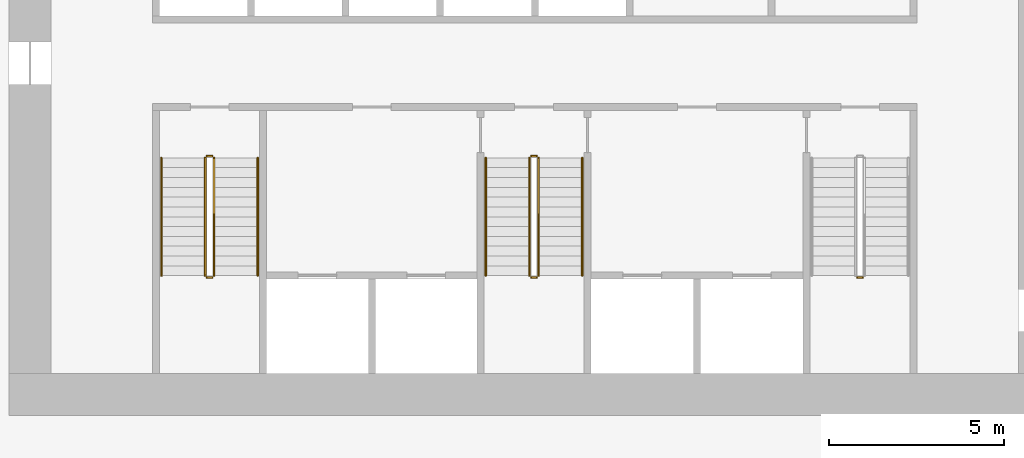
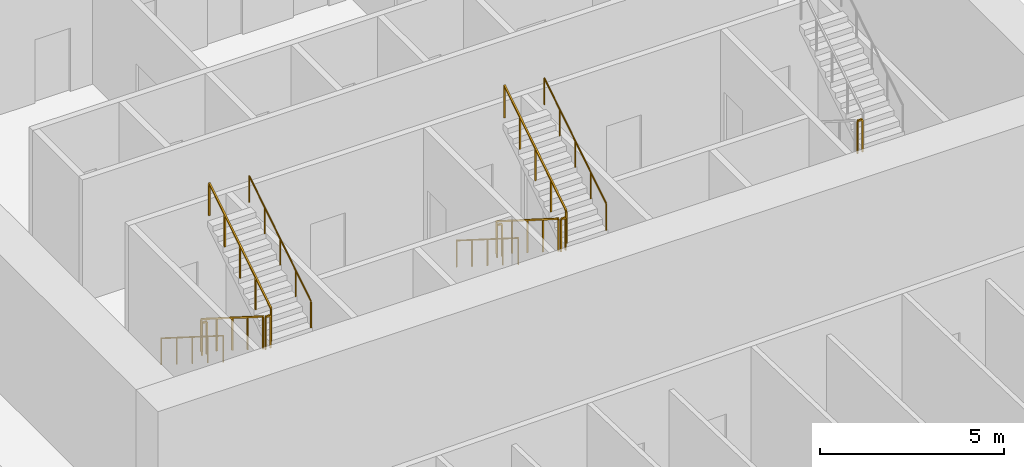
# One storey, part 19 of 21: 13 railings.
"""IFC4 building model written with IfcOpenShell, lengths in metres."""

from ifc_helpers import new_model, si_unit, direction, frame, origin, origin_2d, place, context, subcontext, project, spatial, rectangle, circle, extrude, material, type_object, element, save


model = new_model("IFC4")

# Units and contexts
model_context = context("Model", 3, precision=1e-05, world=origin(), true_north=direction((0.0, 1.0)))
body_context = subcontext(model_context, "Body", "Model", "MODEL_VIEW")
ifc_project = project(units=[si_unit("LENGTHUNIT", "METRE"), si_unit("AREAUNIT", "SQUARE_METRE"), si_unit("VOLUMEUNIT", "CUBIC_METRE"), si_unit("PLANEANGLEUNIT", "RADIAN"), si_unit("MASSUNIT", "GRAM", prefix="KILO")], contexts=[model_context])

# Site, building, storey
site_placement = place(None, origin())
site = spatial("IfcSite", under=ifc_project, at=site_placement, CompositionType="ELEMENT")
building_placement = place(site_placement, origin())
building = spatial("IfcBuilding", under=site, at=building_placement, Name="Mangrove Gate Tower", CompositionType="ELEMENT")
storey_placement = place(building_placement, frame((0.0, 0.0, 29.5)))
storey = spatial("IfcBuildingStorey", under=building, at=storey_placement, Name="L06", CompositionType="ELEMENT", Elevation=29.5)

# Railings
ifc_material_1 = material(Name="Stainless steel 316", Category="steel")
railing_type_1 = type_object("IfcRailingType", Name="Core stair guard 1100", PredefinedType="GUARDRAIL", material=ifc_material_1)
railing_1_placement = place(storey_placement, frame((-9.39990234375, -4.64990234375, 0.177001953125)))
element("IfcRailing", 1, at=railing_1_placement, inside=storey, type_object=railing_type_1, Name="L06 ST1 stair guard 1", PredefinedType="GUARDRAIL", context=body_context, shape_type="SweptSolid", body=[
    extrude(rectangle(XDim=0.048095703125, YDim=0.048095703125, at=origin_2d()), frame((0.0, 0.0, 1.076171875), z_axis=(0.0, -0.845389635667, 0.534150132366), x_axis=(1.0, 0.0, 0.0)), (0.0, 0.0, 1.0), 3.974609375),
    extrude(rectangle(XDim=0.0419921875, YDim=0.0419921875, at=origin_2d()), origin(), (0.0, 0.0, 1.0), 1.052001953125),
    extrude(rectangle(XDim=0.0419921875, YDim=0.0419921875, at=origin_2d()), frame((0.0, -0.840087890625, 0.53076171875)), (0.0, 0.0, 1.0), 1.052001953125),
    extrude(rectangle(XDim=0.0419921875, YDim=0.0419921875, at=origin_2d()), frame((0.0, -1.68017578125, 1.0615234375)), (0.0, 0.0, 1.0), 1.052001953125),
    extrude(rectangle(XDim=0.0419921875, YDim=0.0419921875, at=origin_2d()), frame((0.0, -2.52001953125, 1.59228515625)), (0.0, 0.0, 1.0), 1.052001953125),
    extrude(rectangle(XDim=0.0419921875, YDim=0.0419921875, at=origin_2d()), frame((0.0, -3.360107421875, 2.123046875)), (0.0, 0.0, 1.0), 1.052001953125),
])
railing_2_placement = place(storey_placement, frame((-9.35009765625, -8.06005859375, 2.300048828125)))
element("IfcRailing", 2, at=railing_2_placement, inside=storey, type_object=railing_type_1, Name="L06 ST1 stair guard 2", PredefinedType="GUARDRAIL", context=body_context, shape_type="SweptSolid", body=[
    extrude(rectangle(XDim=0.048095703125, YDim=0.048095703125, at=origin_2d()), frame((0.0, 0.0, 1.076171875), z_axis=(1.0, 0.0, 0.0), x_axis=(0.0, 1.0, 0.0)), (0.0, 0.0, 1.0), 0.150146484375),
    extrude(rectangle(XDim=0.0419921875, YDim=0.0419921875, at=origin_2d()), origin(), (0.0, 0.0, 1.0), 1.052001953125),
    extrude(rectangle(XDim=0.0419921875, YDim=0.0419921875, at=origin_2d()), frame((0.150146484375, 0.0, 0.0)), (0.0, 0.0, 1.0), 1.052001953125),
])
railing_3_placement = place(storey_placement, frame((-9.14990234375, -8.010009765625, 2.476806640625)))
element("IfcRailing", 3, at=railing_3_placement, inside=storey, type_object=railing_type_1, Name="L06 ST1 stair guard 3", PredefinedType="GUARDRAIL", context=body_context, shape_type="SweptSolid", body=[
    extrude(rectangle(XDim=0.048095703125, YDim=0.048095703125, at=origin_2d()), frame((0.0, 0.0, 1.076171875), z_axis=(0.0, 0.845361898145, 0.534194029511), x_axis=(-1.0, 0.0, 0.0)), (0.0, 0.0, 1.0), 3.974853515625),
    extrude(rectangle(XDim=0.0419921875, YDim=0.0419921875, at=origin_2d()), origin(), (0.0, 0.0, 1.0), 1.052001953125),
    extrude(rectangle(XDim=0.0419921875, YDim=0.0419921875, at=origin_2d()), frame((0.0, 0.840087890625, 0.53076171875)), (0.0, 0.0, 1.0), 1.052001953125),
    extrude(rectangle(XDim=0.0419921875, YDim=0.0419921875, at=origin_2d()), frame((0.0, 1.68017578125, 1.0615234375)), (0.0, 0.0, 1.0), 1.052001953125),
    extrude(rectangle(XDim=0.0419921875, YDim=0.0419921875, at=origin_2d()), frame((0.0, 2.52001953125, 1.592529296875)), (0.0, 0.0, 1.0), 1.052001953125),
    extrude(rectangle(XDim=0.0419921875, YDim=0.0419921875, at=origin_2d()), frame((0.0, 3.360107421875, 2.123291015625)), (0.0, 0.0, 1.0), 1.052001953125),
])
railing_4_placement = place(storey_placement, frame((-9.35009765625, -4.60009765625, 0.0)))
element("IfcRailing", 4, at=railing_4_placement, inside=storey, type_object=railing_type_1, Name="L06 ST1 stair guard 4", PredefinedType="GUARDRAIL", context=body_context, shape_type="SweptSolid", body=[
    extrude(rectangle(XDim=0.048095703125, YDim=0.048095703125, at=origin_2d()), frame((0.0, 0.0, 1.076171875), z_axis=(1.0, 0.0, 0.0), x_axis=(0.0, 1.0, 0.0)), (0.0, 0.0, 1.0), 0.150146484375),
    extrude(rectangle(XDim=0.0419921875, YDim=0.0419921875, at=origin_2d()), origin(), (0.0, 0.0, 1.0), 1.052001953125),
    extrude(rectangle(XDim=0.0419921875, YDim=0.0419921875, at=origin_2d()), frame((0.150146484375, 0.0, 0.0)), (0.0, 0.0, 1.0), 1.052001953125),
])
railing_5_placement = place(storey_placement, frame((-0.14990234375, -4.64990234375, 0.177001953125)))
element("IfcRailing", 5, at=railing_5_placement, inside=storey, type_object=railing_type_1, Name="L06 ST2 stair guard 1", PredefinedType="GUARDRAIL", context=body_context, shape_type="SweptSolid", body=[
    extrude(rectangle(XDim=0.048095703125, YDim=0.048095703125, at=origin_2d()), frame((0.0, 0.0, 1.076171875), z_axis=(0.0, -0.845389635667, 0.534150132366), x_axis=(1.0, 0.0, 0.0)), (0.0, 0.0, 1.0), 3.974609375),
    extrude(rectangle(XDim=0.0419921875, YDim=0.0419921875, at=origin_2d()), origin(), (0.0, 0.0, 1.0), 1.052001953125),
    extrude(rectangle(XDim=0.0419921875, YDim=0.0419921875, at=origin_2d()), frame((0.0, -0.840087890625, 0.53076171875)), (0.0, 0.0, 1.0), 1.052001953125),
    extrude(rectangle(XDim=0.0419921875, YDim=0.0419921875, at=origin_2d()), frame((0.0, -1.68017578125, 1.0615234375)), (0.0, 0.0, 1.0), 1.052001953125),
    extrude(rectangle(XDim=0.0419921875, YDim=0.0419921875, at=origin_2d()), frame((0.0, -2.52001953125, 1.59228515625)), (0.0, 0.0, 1.0), 1.052001953125),
    extrude(rectangle(XDim=0.0419921875, YDim=0.0419921875, at=origin_2d()), frame((0.0, -3.360107421875, 2.123046875)), (0.0, 0.0, 1.0), 1.052001953125),
])
railing_6_placement = place(storey_placement, frame((-0.10009765625, -8.06005859375, 2.300048828125)))
element("IfcRailing", 6, at=railing_6_placement, inside=storey, type_object=railing_type_1, Name="L06 ST2 stair guard 2", PredefinedType="GUARDRAIL", context=body_context, shape_type="SweptSolid", body=[
    extrude(rectangle(XDim=0.048095703125, YDim=0.048095703125, at=origin_2d()), frame((0.0, 0.0, 1.076171875), z_axis=(1.0, 0.0, 0.0), x_axis=(0.0, 1.0, 0.0)), (0.0, 0.0, 1.0), 0.150146484375),
    extrude(rectangle(XDim=0.0419921875, YDim=0.0419921875, at=origin_2d()), origin(), (0.0, 0.0, 1.0), 1.052001953125),
    extrude(rectangle(XDim=0.0419921875, YDim=0.0419921875, at=origin_2d()), frame((0.150146484375, 0.0, 0.0)), (0.0, 0.0, 1.0), 1.052001953125),
])
railing_7_placement = place(storey_placement, frame((0.10009765625, -8.010009765625, 2.476806640625)))
element("IfcRailing", 7, at=railing_7_placement, inside=storey, type_object=railing_type_1, Name="L06 ST2 stair guard 3", PredefinedType="GUARDRAIL", context=body_context, shape_type="SweptSolid", body=[
    extrude(rectangle(XDim=0.048095703125, YDim=0.048095703125, at=origin_2d()), frame((0.0, 0.0, 1.076171875), z_axis=(0.0, 0.845361898145, 0.534194029511), x_axis=(-1.0, 0.0, 0.0)), (0.0, 0.0, 1.0), 3.974853515625),
    extrude(rectangle(XDim=0.0419921875, YDim=0.0419921875, at=origin_2d()), origin(), (0.0, 0.0, 1.0), 1.052001953125),
    extrude(rectangle(XDim=0.0419921875, YDim=0.0419921875, at=origin_2d()), frame((0.0, 0.840087890625, 0.53076171875)), (0.0, 0.0, 1.0), 1.052001953125),
    extrude(rectangle(XDim=0.0419921875, YDim=0.0419921875, at=origin_2d()), frame((0.0, 1.68017578125, 1.0615234375)), (0.0, 0.0, 1.0), 1.052001953125),
    extrude(rectangle(XDim=0.0419921875, YDim=0.0419921875, at=origin_2d()), frame((0.0, 2.52001953125, 1.592529296875)), (0.0, 0.0, 1.0), 1.052001953125),
    extrude(rectangle(XDim=0.0419921875, YDim=0.0419921875, at=origin_2d()), frame((0.0, 3.360107421875, 2.123291015625)), (0.0, 0.0, 1.0), 1.052001953125),
])
for number, where, name in (
    (8, (-0.10009765625, -4.60009765625, 0.0), "L06 ST2 stair guard 4"),
    (9, (9.199951171875, -8.06005859375, 2.300048828125), "L06 ST3 stair guard 2"),
):
    element("IfcRailing", number, at=place(storey_placement, frame(where)), inside=storey, type_object=railing_type_1, Name=name, PredefinedType="GUARDRAIL", context=body_context, shape_type="SweptSolid", body=[
        extrude(rectangle(XDim=0.048095703125, YDim=0.048095703125, at=origin_2d()), frame((0.0, 0.0, 1.076171875), z_axis=(1.0, 0.0, 0.0), x_axis=(0.0, 1.0, 0.0)), (0.0, 0.0, 1.0), 0.150146484375),
        extrude(rectangle(XDim=0.0419921875, YDim=0.0419921875, at=origin_2d()), origin(), (0.0, 0.0, 1.0), 1.052001953125),
        extrude(rectangle(XDim=0.0419921875, YDim=0.0419921875, at=origin_2d()), frame((0.150146484375, 0.0, 0.0)), (0.0, 0.0, 1.0), 1.052001953125),
    ])
ifc_material_2 = material(Name="Stainless steel 316", Category="steel")
railing_type_2 = type_object("IfcRailingType", Name="Core stair handrail 900", PredefinedType="HANDRAIL", material=ifc_material_2)
railing_8_placement = place(storey_placement, frame((-10.64990234375, -4.64990234375, 0.177001953125)))
element("IfcRailing", 10, at=railing_8_placement, inside=storey, type_object=railing_type_2, Name="L06 ST1 stair handrail 1", PredefinedType="HANDRAIL", context=body_context, shape_type="SweptSolid", body=[
    extrude(circle(Radius=0.02392578125, at=origin_2d()), frame((0.0, 0.0, 0.8759765625), z_axis=(0.0, -0.845389635667, 0.534150132366), x_axis=(1.0, 0.0, 0.0)), (0.0, 0.0, 1.0), 3.974609375),
    extrude(circle(Radius=0.02099609375, at=origin_2d()), origin(), (0.0, 0.0, 1.0), 0.851806640625),
    extrude(circle(Radius=0.02099609375, at=origin_2d()), frame((0.0, -0.840087890625, 0.53076171875)), (0.0, 0.0, 1.0), 0.851806640625),
    extrude(circle(Radius=0.02099609375, at=origin_2d()), frame((0.0, -1.68017578125, 1.0615234375)), (0.0, 0.0, 1.0), 0.851806640625),
    extrude(circle(Radius=0.02099609375, at=origin_2d()), frame((0.0, -2.52001953125, 1.59228515625)), (0.0, 0.0, 1.0), 0.851806640625),
    extrude(circle(Radius=0.02099609375, at=origin_2d()), frame((0.0, -3.360107421875, 2.123046875)), (0.0, 0.0, 1.0), 0.851806640625),
])
railing_9_placement = place(storey_placement, frame((-7.89990234375, -8.010009765625, 2.476806640625)))
element("IfcRailing", 11, at=railing_9_placement, inside=storey, type_object=railing_type_2, Name="L06 ST1 stair handrail 2", PredefinedType="HANDRAIL", context=body_context, shape_type="SweptSolid", body=[
    extrude(circle(Radius=0.02392578125, at=origin_2d()), frame((0.0, 0.0, 0.8759765625), z_axis=(0.0, 0.845361898145, 0.534194029511), x_axis=(-1.0, 0.0, 0.0)), (0.0, 0.0, 1.0), 3.974853515625),
    extrude(circle(Radius=0.02099609375, at=origin_2d()), origin(), (0.0, 0.0, 1.0), 0.851806640625),
    extrude(circle(Radius=0.02099609375, at=origin_2d()), frame((0.0, 0.840087890625, 0.53076171875)), (0.0, 0.0, 1.0), 0.851806640625),
    extrude(circle(Radius=0.02099609375, at=origin_2d()), frame((0.0, 1.68017578125, 1.0615234375)), (0.0, 0.0, 1.0), 0.851806640625),
    extrude(circle(Radius=0.02099609375, at=origin_2d()), frame((0.0, 2.52001953125, 1.592529296875)), (0.0, 0.0, 1.0), 0.851806640625),
    extrude(circle(Radius=0.02099609375, at=origin_2d()), frame((0.0, 3.360107421875, 2.123291015625)), (0.0, 0.0, 1.0), 0.851806640625),
])
railing_10_placement = place(storey_placement, frame((-1.39990234375, -4.64990234375, 0.177001953125)))
element("IfcRailing", 12, at=railing_10_placement, inside=storey, type_object=railing_type_2, Name="L06 ST2 stair handrail 1", PredefinedType="HANDRAIL", context=body_context, shape_type="SweptSolid", body=[
    extrude(circle(Radius=0.02392578125, at=origin_2d()), frame((0.0, 0.0, 0.8759765625), z_axis=(0.0, -0.845389635667, 0.534150132366), x_axis=(1.0, 0.0, 0.0)), (0.0, 0.0, 1.0), 3.974609375),
    extrude(circle(Radius=0.02099609375, at=origin_2d()), origin(), (0.0, 0.0, 1.0), 0.851806640625),
    extrude(circle(Radius=0.02099609375, at=origin_2d()), frame((0.0, -0.840087890625, 0.53076171875)), (0.0, 0.0, 1.0), 0.851806640625),
    extrude(circle(Radius=0.02099609375, at=origin_2d()), frame((0.0, -1.68017578125, 1.0615234375)), (0.0, 0.0, 1.0), 0.851806640625),
    extrude(circle(Radius=0.02099609375, at=origin_2d()), frame((0.0, -2.52001953125, 1.59228515625)), (0.0, 0.0, 1.0), 0.851806640625),
    extrude(circle(Radius=0.02099609375, at=origin_2d()), frame((0.0, -3.360107421875, 2.123046875)), (0.0, 0.0, 1.0), 0.851806640625),
])
railing_11_placement = place(storey_placement, frame((1.35009765625, -8.010009765625, 2.476806640625)))
element("IfcRailing", 13, at=railing_11_placement, inside=storey, type_object=railing_type_2, Name="L06 ST2 stair handrail 2", PredefinedType="HANDRAIL", context=body_context, shape_type="SweptSolid", body=[
    extrude(circle(Radius=0.02392578125, at=origin_2d()), frame((0.0, 0.0, 0.8759765625), z_axis=(0.0, 0.845361898145, 0.534194029511), x_axis=(-1.0, 0.0, 0.0)), (0.0, 0.0, 1.0), 3.974853515625),
    extrude(circle(Radius=0.02099609375, at=origin_2d()), origin(), (0.0, 0.0, 1.0), 0.851806640625),
    extrude(circle(Radius=0.02099609375, at=origin_2d()), frame((0.0, 0.840087890625, 0.53076171875)), (0.0, 0.0, 1.0), 0.851806640625),
    extrude(circle(Radius=0.02099609375, at=origin_2d()), frame((0.0, 1.68017578125, 1.0615234375)), (0.0, 0.0, 1.0), 0.851806640625),
    extrude(circle(Radius=0.02099609375, at=origin_2d()), frame((0.0, 2.52001953125, 1.592529296875)), (0.0, 0.0, 1.0), 0.851806640625),
    extrude(circle(Radius=0.02099609375, at=origin_2d()), frame((0.0, 3.360107421875, 2.123291015625)), (0.0, 0.0, 1.0), 0.851806640625),
])

save(model, "model.ifc")
